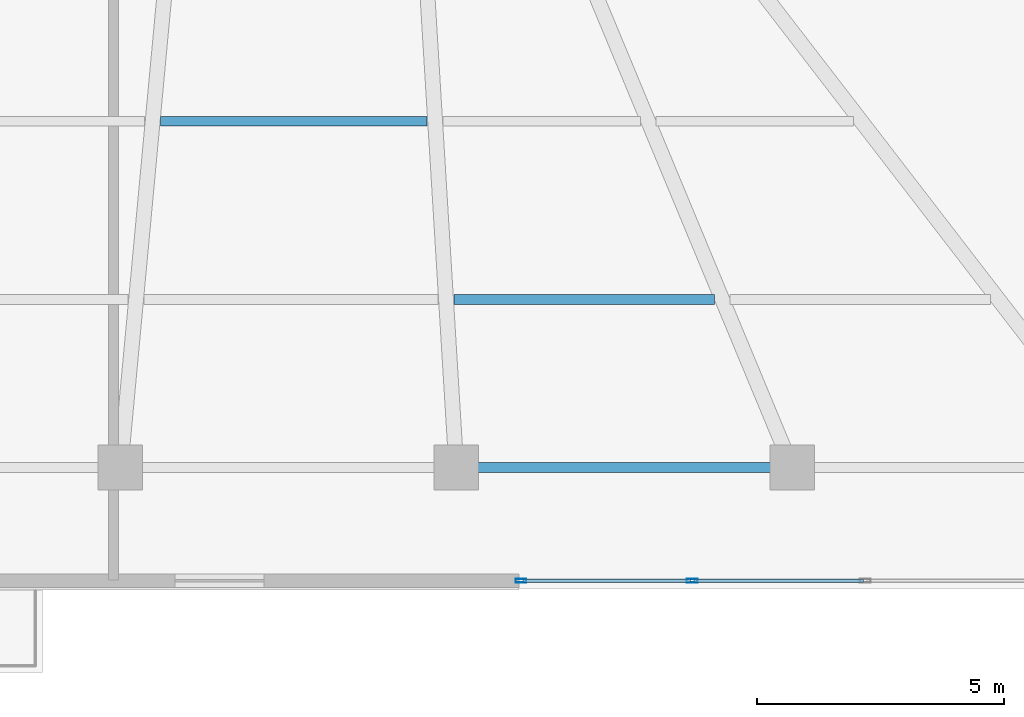
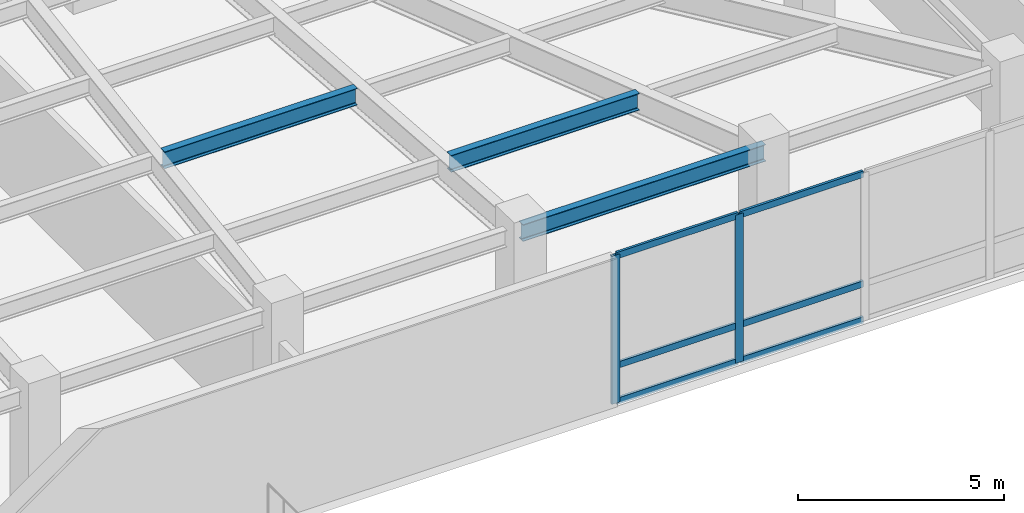
# One storey, part 4 of 15: 8 members, 3 beams, 1 element without a shape of its own.
"""IFC4 building model written with IfcOpenShell, lengths in metres."""

from ifc_helpers import new_model, si_unit, direction, frame, origin, origin_2d, place, context, subcontext, project, spatial, hollow_rectangle, i_section, extrude, material, material_profile, profile_set, type_object, element, aggregate, save


model = new_model("IFC4")

# Units and contexts
model_context = context("Model", 3, precision=1e-05, world=origin(), true_north=direction((0.0, 1.0)))
body_context = subcontext(model_context, "Body", "Model", "MODEL_VIEW")
ifc_project = project(units=[si_unit("LENGTHUNIT", "METRE"), si_unit("AREAUNIT", "SQUARE_METRE"), si_unit("VOLUMEUNIT", "CUBIC_METRE"), si_unit("PLANEANGLEUNIT", "RADIAN"), si_unit("MASSUNIT", "GRAM", prefix="KILO")], contexts=[model_context])

# Site, building, storey
site_placement = place(None, origin())
site = spatial("IfcSite", under=ifc_project, at=site_placement, CompositionType="ELEMENT")
building_placement = place(site_placement, origin())
building = spatial("IfcBuilding", under=site, at=building_placement, Name="Yelkora Congress Tower", CompositionType="ELEMENT")
storey_placement = place(building_placement, frame((0.0, 0.0, 20.39990234375)))
storey = spatial("IfcBuildingStorey", under=building, at=storey_placement, Name="L04", CompositionType="ELEMENT", Elevation=20.39990234375)

# Beams
ifc_material_1 = material(Name="Steel S355J2", Category="steel")
ifc_material_profile_1 = material_profile(ifc_material_1, i_section(OverallWidth=0.199951171875, OverallDepth=0.5, WebThickness=0.01025390625, FlangeThickness=0.01611328125, FilletRadius=0.02099609375, at=origin_2d()), Name="IPE 500")
ifc_profile_set_1 = profile_set([ifc_material_profile_1], Name="Steel S355J2")
beam_type_1 = type_object("IfcBeamType", Name="BM-JOIST-IPE500", PredefinedType="JOIST", material=ifc_profile_set_1)
beam_1_placement = place(storey_placement, frame((58.722412109375, 9.449951171875, 4.130126953125), z_axis=(1.0, 0.0, 0.0), x_axis=(0.0, 1.0, 0.0)))
element("IfcBeam", 1, at=beam_1_placement, inside=storey, type_object=beam_type_1, Name="L04 Composite Floor Joist 9", PredefinedType="JOIST", context=body_context, shape_type="SweptSolid", body=[
    extrude(i_section(OverallWidth=0.199951171875, OverallDepth=0.5, WebThickness=0.01025390625, FlangeThickness=0.01611328125, FilletRadius=0.02099609375, at=origin_2d()), origin(), (0.0, 0.0, 1.0), 5.264404296875),
])
beam_2_placement = place(storey_placement, frame((52.790771484375, 13.050048828125, 4.130126953125), z_axis=(1.0, 0.0, 0.0), x_axis=(0.0, 1.0, 0.0)))
element("IfcBeam", 2, at=beam_2_placement, inside=storey, type_object=beam_type_1, Name="L04 Composite Floor Joist 18", PredefinedType="JOIST", context=body_context, shape_type="SweptSolid", body=[
    extrude(i_section(OverallWidth=0.199951171875, OverallDepth=0.5, WebThickness=0.01025390625, FlangeThickness=0.01611328125, FilletRadius=0.02099609375, at=origin_2d()), origin(), (0.0, 0.0, 1.0), 5.3916015625),
])
ifc_material_profile_2 = material_profile(ifc_material_1, i_section(OverallWidth=0.199951171875, OverallDepth=0.5, WebThickness=0.01025390625, FlangeThickness=0.01611328125, FilletRadius=0.02099609375, at=origin_2d()), Name="IPE 500")
ifc_profile_set_2 = profile_set([ifc_material_profile_2], Name="Steel S355J2")
beam_type_2 = type_object("IfcBeamType", Name="BM-SPAN-IPE500B", PredefinedType="BEAM", material=ifc_profile_set_2)
beam_3_placement = place(storey_placement, frame((58.77001953125, 6.050048828125, 4.130126953125), z_axis=(1.0, 0.0, 0.0), x_axis=(0.0, 1.0, 0.0)))
element("IfcBeam", 3, at=beam_3_placement, inside=storey, type_object=beam_type_2, Name="L04 Perimeter Beam 10", PredefinedType="BEAM", context=body_context, shape_type="SweptSolid", body=[
    extrude(i_section(OverallWidth=0.199951171875, OverallDepth=0.5, WebThickness=0.01025390625, FlangeThickness=0.01611328125, FilletRadius=0.02099609375, at=origin_2d()), origin(), (0.0, 0.0, 1.0), 6.7900390625),
])

# Curtain wall, members
ifc_material_2 = material(Name="Anodised aluminium and insulated glass", Category="aluminium")
curtain_wall_type = type_object("IfcCurtainWallType", Name="CW-SYS-POD", PredefinedType="NOTDEFINED", material=ifc_material_2)
curtain_wall_placement = place(storey_placement, origin())
curtain_wall = element("IfcCurtainWall", 4, at=curtain_wall_placement, inside=storey, type_object=curtain_wall_type, Name="L04 Podium Curtain Wall East", PredefinedType="NOTDEFINED")
ifc_material_3 = material(Name="Anodised aluminium 6063-T6", Category="aluminium")
ifc_material_profile_3 = material_profile(ifc_material_3, hollow_rectangle(XDim=0.074951171875, YDim=0.219970703125, WallThickness=0.0048828125, at=origin_2d()), Name="ALU 75x220x5")
ifc_profile_set_3 = profile_set([ifc_material_profile_3], Name="Anodised aluminium 6063-T6")
member_type_1 = type_object("IfcMemberType", Name="MEM-ML-POD", PredefinedType="MULLION", material=ifc_profile_set_3)
member_1_placement = place(storey_placement, frame((60.077392578125, 3.760009765625, 0.0), z_axis=(0.0, 0.0, 1.0), x_axis=(0.0, 1.0, 0.0)))
member_1 = element("IfcMember", 5, at=member_1_placement, type_object=member_type_1, Name="CW-POD mullion 1", PredefinedType="MULLION", context=body_context, shape_type="SweptSolid", body=[
    extrude(hollow_rectangle(XDim=0.074951171875, YDim=0.219970703125, WallThickness=0.0048828125, at=origin_2d()), origin(), (0.0, 0.0, 1.0), 4.380126953125),
])
member_2_placement = place(storey_placement, frame((63.5400390625, 3.760009765625, 0.0), z_axis=(0.0, 0.0, 1.0), x_axis=(0.0, 1.0, 0.0)))
member_2 = element("IfcMember", 6, at=member_2_placement, type_object=member_type_1, Name="CW-POD mullion 2", PredefinedType="MULLION", context=body_context, shape_type="SweptSolid", body=[
    extrude(hollow_rectangle(XDim=0.074951171875, YDim=0.219970703125, WallThickness=0.0048828125, at=origin_2d()), origin(), (0.0, 0.0, 1.0), 4.380126953125),
])
ifc_material_profile_4 = material_profile(ifc_material_3, hollow_rectangle(XDim=0.070068359375, YDim=0.18994140625, WallThickness=0.00390625, at=origin_2d()), Name="ALU 70x190x4")
ifc_profile_set_4 = profile_set([ifc_material_profile_4], Name="Anodised aluminium 6063-T6")
member_type_2 = type_object("IfcMemberType", Name="MEM-TR-POD", PredefinedType="USERDEFINED", material=ifc_profile_set_4)
member_3_placement = place(storey_placement, frame((60.114990234375, 3.760009765625, 0.03515625), z_axis=(1.0, 0.0, 0.0), x_axis=(0.0, 1.0, 0.0)))
member_3 = element("IfcMember", 7, at=member_3_placement, type_object=member_type_2, Name="CW-POD transom 1.1", ObjectType="TRANSOM", PredefinedType="USERDEFINED", context=body_context, shape_type="SweptSolid", body=[
    extrude(hollow_rectangle(XDim=0.070068359375, YDim=0.18994140625, WallThickness=0.00390625, at=origin_2d()), origin(), (0.0, 0.0, 1.0), 3.387451171875),
])
member_4_placement = place(storey_placement, frame((60.114990234375, 3.760009765625, 1.10009765625), z_axis=(1.0, 0.0, 0.0), x_axis=(0.0, 1.0, 0.0)))
member_4 = element("IfcMember", 8, at=member_4_placement, type_object=member_type_2, Name="CW-POD transom 1.2", ObjectType="TRANSOM", PredefinedType="USERDEFINED", context=body_context, shape_type="SweptSolid", body=[
    extrude(hollow_rectangle(XDim=0.070068359375, YDim=0.18994140625, WallThickness=0.00390625, at=origin_2d()), origin(), (0.0, 0.0, 1.0), 3.387451171875),
])
member_5_placement = place(storey_placement, frame((60.114990234375, 3.760009765625, 4.34521484375), z_axis=(1.0, 0.0, 0.0), x_axis=(0.0, 1.0, 0.0)))
member_5 = element("IfcMember", 9, at=member_5_placement, type_object=member_type_2, Name="CW-POD transom 1.3", ObjectType="TRANSOM", PredefinedType="USERDEFINED", context=body_context, shape_type="SweptSolid", body=[
    extrude(hollow_rectangle(XDim=0.070068359375, YDim=0.18994140625, WallThickness=0.00390625, at=origin_2d()), origin(), (0.0, 0.0, 1.0), 3.387451171875),
])
member_6_placement = place(storey_placement, frame((63.577392578125, 3.760009765625, 0.03515625), z_axis=(1.0, 0.0, 0.0), x_axis=(0.0, 1.0, 0.0)))
member_6 = element("IfcMember", 10, at=member_6_placement, type_object=member_type_2, Name="CW-POD transom 2.1", ObjectType="TRANSOM", PredefinedType="USERDEFINED", context=body_context, shape_type="SweptSolid", body=[
    extrude(hollow_rectangle(XDim=0.070068359375, YDim=0.18994140625, WallThickness=0.00390625, at=origin_2d()), origin(), (0.0, 0.0, 1.0), 3.425048828125),
])
member_7_placement = place(storey_placement, frame((63.577392578125, 3.760009765625, 1.10009765625), z_axis=(1.0, 0.0, 0.0), x_axis=(0.0, 1.0, 0.0)))
member_7 = element("IfcMember", 11, at=member_7_placement, type_object=member_type_2, Name="CW-POD transom 2.2", ObjectType="TRANSOM", PredefinedType="USERDEFINED", context=body_context, shape_type="SweptSolid", body=[
    extrude(hollow_rectangle(XDim=0.070068359375, YDim=0.18994140625, WallThickness=0.00390625, at=origin_2d()), origin(), (0.0, 0.0, 1.0), 3.425048828125),
])
member_8_placement = place(storey_placement, frame((63.577392578125, 3.760009765625, 4.34521484375), z_axis=(1.0, 0.0, 0.0), x_axis=(0.0, 1.0, 0.0)))
member_8 = element("IfcMember", 12, at=member_8_placement, type_object=member_type_2, Name="CW-POD transom 2.3", ObjectType="TRANSOM", PredefinedType="USERDEFINED", context=body_context, shape_type="SweptSolid", body=[
    extrude(hollow_rectangle(XDim=0.070068359375, YDim=0.18994140625, WallThickness=0.00390625, at=origin_2d()), origin(), (0.0, 0.0, 1.0), 3.425048828125),
])
aggregate(curtain_wall, [member_1, member_2, member_3, member_4, member_5, member_6, member_7, member_8])

save(model, "model.ifc")
